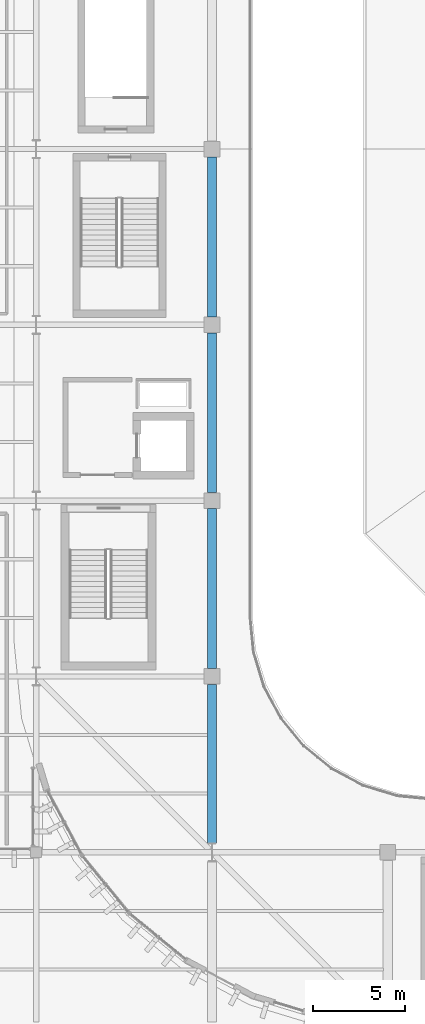
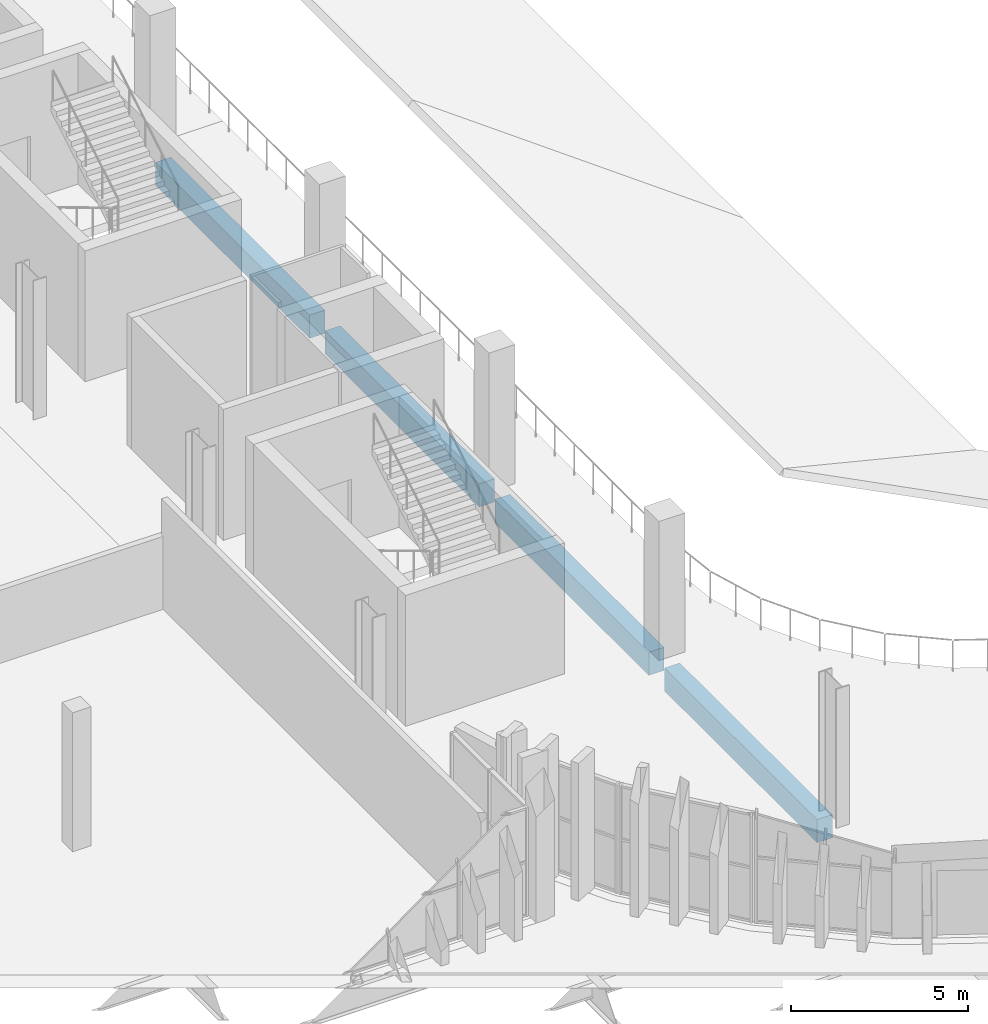
# One storey, part 23 of 99: 4 beams.
"""IFC4 building model written with IfcOpenShell, lengths in metres."""

from ifc_helpers import new_model, si_unit, direction, frame, origin, origin_2d, place, context, subcontext, project, spatial, rectangle, extrude, material, material_profile, profile_set, type_object, element, save


model = new_model("IFC4")

# Units and contexts
model_context = context("Model", 3, precision=1e-05, world=origin(), true_north=direction((0.0, 1.0)))
body_context = subcontext(model_context, "Body", "Model", "MODEL_VIEW")
ifc_project = project(units=[si_unit("LENGTHUNIT", "METRE"), si_unit("AREAUNIT", "SQUARE_METRE"), si_unit("VOLUMEUNIT", "CUBIC_METRE"), si_unit("PLANEANGLEUNIT", "RADIAN"), si_unit("MASSUNIT", "GRAM", prefix="KILO")], contexts=[model_context])

# Site, building, storey
site_placement = place(None, origin())
site = spatial("IfcSite", under=ifc_project, at=site_placement, CompositionType="ELEMENT")
building_placement = place(site_placement, origin())
building = spatial("IfcBuilding", under=site, at=building_placement, Name="Caelomonte Colonnade Arena", CompositionType="ELEMENT")
storey_placement = place(building_placement, frame((0.0, 0.0, 4.800048828125)))
storey = spatial("IfcBuildingStorey", under=building, at=storey_placement, Name="L01", CompositionType="ELEMENT", Elevation=4.800048828125)

# Beams
ifc_material = material(Name="Concrete C40/50", Category="concrete")
ifc_material_profile = material_profile(ifc_material, rectangle(XDim=0.5, YDim=0.800048828125, at=origin_2d()), Name="RC500X800")
ifc_profile_set = profile_set([ifc_material_profile], Name="Concrete C40/50")
beam_type = type_object("IfcBeamType", Name="STR-BM-RC50", PredefinedType="BEAM", material=ifc_profile_set)
beam_placement = place(storey_placement, frame((67.199951171875, 29.312744140625, -0.699951171875), z_axis=(0.0, 1.0, 0.0), x_axis=(-1.0, 0.0, 0.0)))
element("IfcBeam", 1, at=beam_placement, inside=storey, type_object=beam_type, Name="L01 girder BMY-L01-0672-0288", PredefinedType="BEAM", context=body_context, shape_type="SweptSolid", body=[
    extrude(rectangle(XDim=0.5, YDim=0.800048828125, at=origin_2d()), origin(), (0.0, 0.0, 1.0), 8.645263671875),
])
for number, where, z_axis, x_axis, name in (
    (2, (67.199951171875, 38.842041015625, -0.699951171875), (0.0, 1.0, 0.0), (-1.0, 0.0, 0.0), "L01 girder BMY-L01-0672-0384"),
    (3, (67.199951171875, 48.44189453125, -0.699951171875), (0.0, 1.0, 0.0), (-1.0, 0.0, 0.0), "L01 girder BMY-L01-0672-0480"),
    (4, (67.199951171875, 58.0419921875, -0.699951171875), (0.0, 1.0, 0.0), (-1.0, 0.0, 0.0), "L01 girder BMY-L01-0672-0576"),
):
    element("IfcBeam", number, at=place(storey_placement, frame(where, z_axis=z_axis, x_axis=x_axis)), inside=storey, type_object=beam_type, Name=name, PredefinedType="BEAM", context=body_context, shape_type="SweptSolid", body=[
        extrude(rectangle(XDim=0.5, YDim=0.800048828125, at=origin_2d()), origin(), (0.0, 0.0, 1.0), 8.716064453125),
    ])

save(model, "model.ifc")
